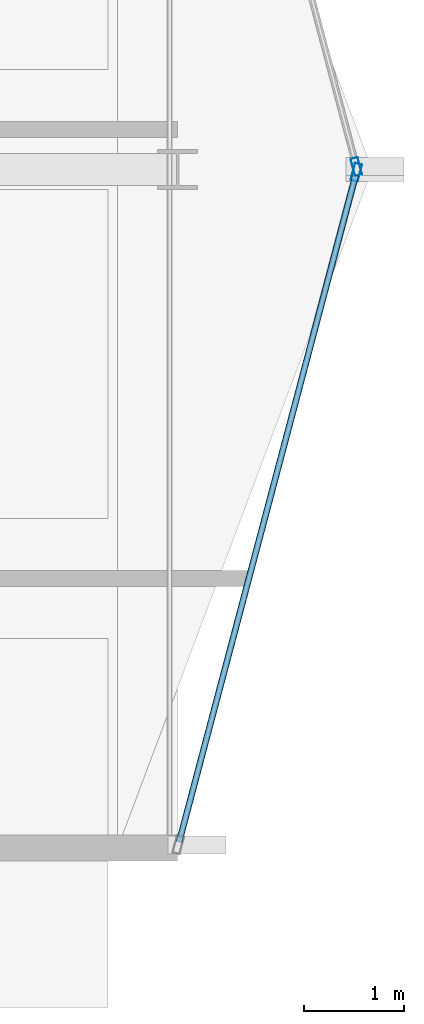
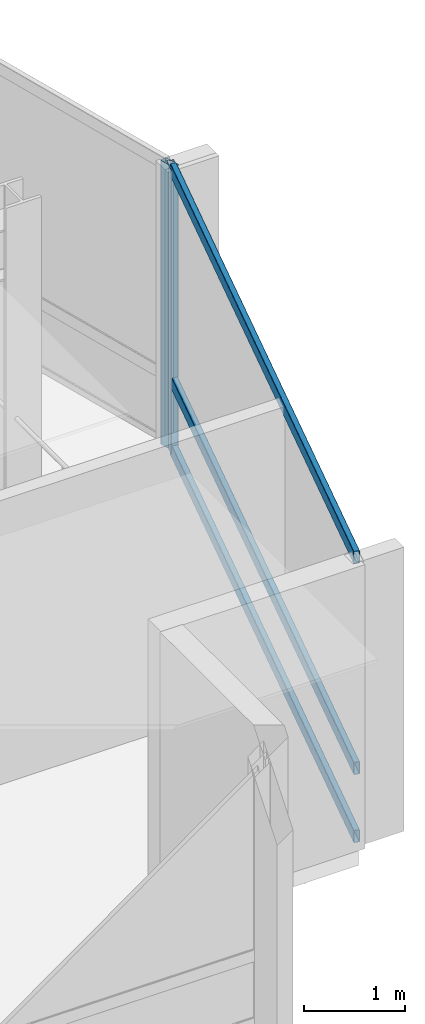
# One storey, part 11 of 28: 5 members, 2 elements without a shape of their own.
"""IFC4 building model written with IfcOpenShell, lengths in metres."""

from ifc_helpers import new_model, si_unit, direction, frame, origin, origin_2d, place, context, subcontext, project, spatial, hollow_rectangle, extrude, material, layer, layer_set, material_profile, profile_set, type_object, element, aggregate, save


model = new_model("IFC4")

# Units and contexts
model_context = context("Model", 3, precision=1e-05, world=origin(), true_north=direction((0.0, 1.0)))
body_context = subcontext(model_context, "Body", "Model", "MODEL_VIEW")
ifc_project = project(units=[si_unit("LENGTHUNIT", "METRE"), si_unit("AREAUNIT", "SQUARE_METRE"), si_unit("VOLUMEUNIT", "CUBIC_METRE"), si_unit("PLANEANGLEUNIT", "RADIAN"), si_unit("MASSUNIT", "GRAM", prefix="KILO")], contexts=[model_context])

# Site, building, storey
site_placement = place(None, origin())
site = spatial("IfcSite", under=ifc_project, at=site_placement, CompositionType="ELEMENT")
building_placement = place(site_placement, origin())
building = spatial("IfcBuilding", under=site, at=building_placement, Name="Solvaryn Broadcast Tower", CompositionType="ELEMENT")
storey_placement = place(building_placement, frame((0.0, 0.0, 217.300048828125)))
storey = spatial("IfcBuildingStorey", under=building, at=storey_placement, Name="L54", CompositionType="ELEMENT", Elevation=217.300048828125)

# Curtain wall, member
ifc_material_1 = material(Name="Aluminium and Terracotta Unitised Curtain Wall", Category="masonry")
ifc_layer = layer(ifc_material_1, 0.199951171875)
ifc_layer_set = layer_set([ifc_layer], Name="CW-SYS2-LOWMID")
curtain_wall_type = type_object("IfcCurtainWallType", Name="CW-SYS2-LOWMID", PredefinedType="NOTDEFINED", material=ifc_layer_set)
curtain_wall_1_placement = place(storey_placement, origin())
curtain_wall_1 = element("IfcCurtainWall", 1, at=curtain_wall_1_placement, inside=storey, type_object=curtain_wall_type, Name="L54 Curtain Wall ET1", PredefinedType="NOTDEFINED")
ifc_material_2 = material(Name="Anodised Aluminium 6063-T6", Category="aluminium")
ifc_material_profile_1 = material_profile(ifc_material_2, hollow_rectangle(XDim=0.074951171875, YDim=0.179931640625, WallThickness=0.00390625, InnerFilletRadius=0.00390625, OuterFilletRadius=0.008056640625, at=origin_2d()))
ifc_profile_set_1 = profile_set([ifc_material_profile_1], Name="Anodised Aluminium 6063-T6")
member_type_1 = type_object("IfcMemberType", Name="CW-MUL-180", PredefinedType="MULLION", material=ifc_profile_set_1)
member_1_placement = place(storey_placement, frame((55.792236328125, 18.029052734375, 0.0), z_axis=(0.0, 0.0, 1.0), x_axis=(0.966705227863, 0.25589256031, 0.0)))
member_1 = element("IfcMember", 2, at=member_1_placement, type_object=member_type_1, Name="CWS2 mullion 2", PredefinedType="MULLION", context=body_context, shape_type="SweptSolid", body=[
    extrude(hollow_rectangle(XDim=0.074951171875, YDim=0.179931640625, WallThickness=0.00390625, InnerFilletRadius=0.00390625, OuterFilletRadius=0.008056640625, at=origin_2d()), origin(), (0.0, 0.0, 1.0), 3.419921875),
])
aggregate(curtain_wall_1, [member_1])

# Curtain wall, members
curtain_wall_2_placement = place(storey_placement, origin())
curtain_wall_2 = element("IfcCurtainWall", 3, at=curtain_wall_2_placement, inside=storey, type_object=curtain_wall_type, Name="L54 Curtain Wall ET2", PredefinedType="NOTDEFINED")
member_2_placement = place(storey_placement, frame((55.792236328125, 17.970947265625, 0.0), z_axis=(0.0, 0.0, 1.0), x_axis=(0.966705227863, -0.25589256031, 0.0)))
member_2 = element("IfcMember", 4, at=member_2_placement, type_object=member_type_1, Name="CWS2 mullion 1", PredefinedType="MULLION", context=body_context, shape_type="SweptSolid", body=[
    extrude(hollow_rectangle(XDim=0.074951171875, YDim=0.179931640625, WallThickness=0.00390625, InnerFilletRadius=0.00390625, OuterFilletRadius=0.008056640625, at=origin_2d()), origin(), (0.0, 0.0, 1.0), 3.419921875),
])
ifc_material_3 = material(Name="Anodised Aluminium 6063-T6", Category="aluminium")
ifc_material_profile_2 = material_profile(ifc_material_3, hollow_rectangle(XDim=0.06494140625, YDim=0.14990234375, WallThickness=0.00390625, InnerFilletRadius=0.00390625, OuterFilletRadius=0.008056640625, at=origin_2d()))
ifc_profile_set_2 = profile_set([ifc_material_profile_2], Name="Anodised Aluminium 6063-T6")
member_type_2 = type_object("IfcMemberType", Name="CW-TRN-150", PredefinedType="USERDEFINED", material=ifc_profile_set_2)
member_3_placement = place(storey_placement, frame((55.78466796875, 17.94189453125, 0.030029296875), z_axis=(-0.255897413051, -0.966703943301, 0.0), x_axis=(0.966703943301, -0.255897413051, 0.0)))
member_3 = element("IfcMember", 5, at=member_3_placement, type_object=member_type_2, Name="CWS2 transom 1.1", ObjectType="TRANSOM", PredefinedType="USERDEFINED", context=body_context, shape_type="SweptSolid", body=[
    extrude(hollow_rectangle(XDim=0.06494140625, YDim=0.14990234375, WallThickness=0.00390625, InnerFilletRadius=0.00390625, OuterFilletRadius=0.008056640625, at=origin_2d()), origin(), (0.0, 0.0, 1.0), 6.9140625),
])
member_4_placement = place(storey_placement, frame((55.78466796875, 17.94189453125, 0.849853515625), z_axis=(-0.255897413051, -0.966703943301, 0.0), x_axis=(0.966703943301, -0.255897413051, 0.0)))
member_4 = element("IfcMember", 6, at=member_4_placement, type_object=member_type_2, Name="CWS2 transom 1.2", ObjectType="TRANSOM", PredefinedType="USERDEFINED", context=body_context, shape_type="SweptSolid", body=[
    extrude(hollow_rectangle(XDim=0.06494140625, YDim=0.14990234375, WallThickness=0.00390625, InnerFilletRadius=0.00390625, OuterFilletRadius=0.008056640625, at=origin_2d()), origin(), (0.0, 0.0, 1.0), 6.9140625),
])
member_5_placement = place(storey_placement, frame((55.78466796875, 17.94189453125, 3.389892578125), z_axis=(-0.255897413051, -0.966703943301, 0.0), x_axis=(0.966703943301, -0.255897413051, 0.0)))
member_5 = element("IfcMember", 7, at=member_5_placement, type_object=member_type_2, Name="CWS2 transom 1.3", ObjectType="TRANSOM", PredefinedType="USERDEFINED", context=body_context, shape_type="SweptSolid", body=[
    extrude(hollow_rectangle(XDim=0.06494140625, YDim=0.14990234375, WallThickness=0.00390625, InnerFilletRadius=0.00390625, OuterFilletRadius=0.008056640625, at=origin_2d()), origin(), (0.0, 0.0, 1.0), 6.9140625),
])
aggregate(curtain_wall_2, [member_2, member_3, member_4, member_5])

save(model, "model.ifc")
